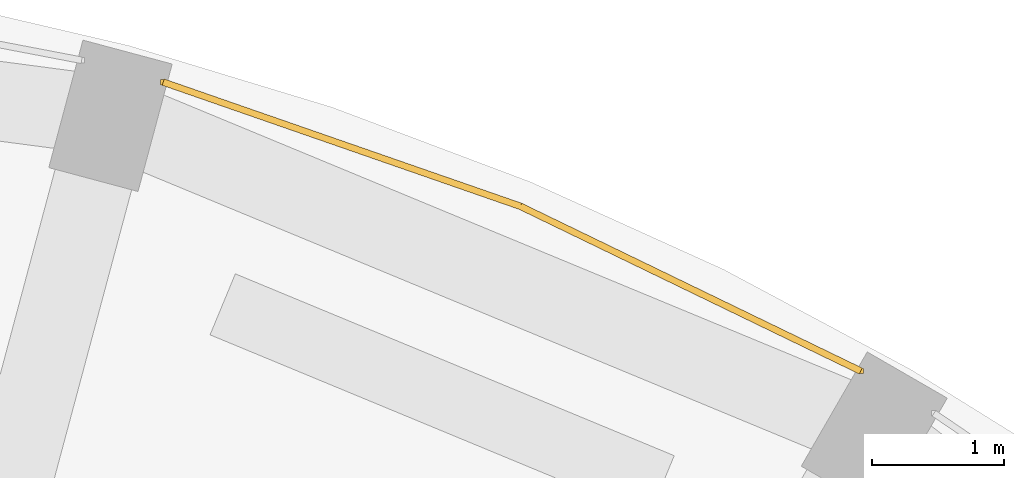
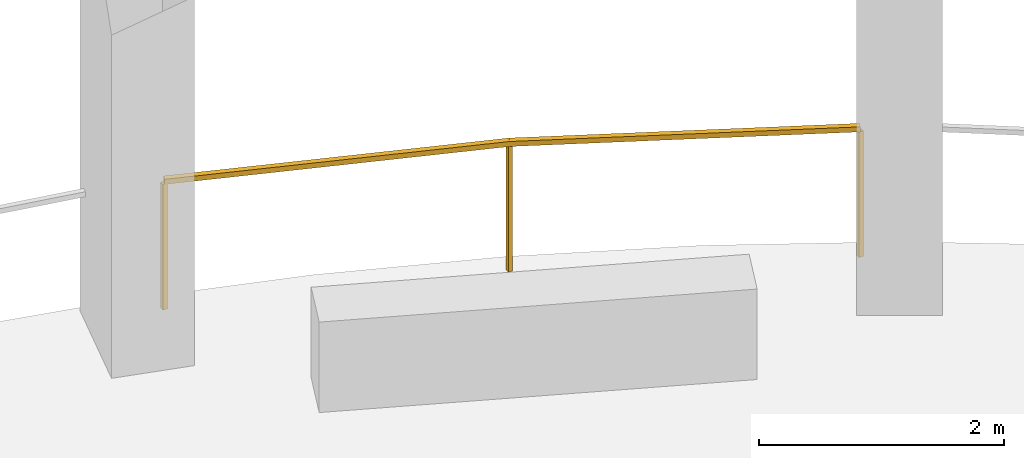
# One storey, part 9 of 9: 1 railing.
"""IFC4 building model written with IfcOpenShell, lengths in metres."""

from ifc_helpers import new_model, si_unit, direction, frame, origin, origin_2d, place, context, subcontext, project, spatial, rectangle, extrude, material, type_object, element, save


model = new_model("IFC4")

# Units and contexts
model_context = context("Model", 3, precision=1e-05, world=origin(), true_north=direction((0.0, 1.0)))
body_context = subcontext(model_context, "Body", "Model", "MODEL_VIEW")
ifc_project = project(units=[si_unit("LENGTHUNIT", "METRE"), si_unit("AREAUNIT", "SQUARE_METRE"), si_unit("VOLUMEUNIT", "CUBIC_METRE"), si_unit("PLANEANGLEUNIT", "RADIAN"), si_unit("MASSUNIT", "GRAM", prefix="KILO")], contexts=[model_context])

# Site, building, storey
site_placement = place(None, origin())
site = spatial("IfcSite", under=ifc_project, at=site_placement, CompositionType="ELEMENT")
building_placement = place(site_placement, origin())
building = spatial("IfcBuilding", under=site, at=building_placement, Name="Torre Triforio", CompositionType="ELEMENT")
storey_placement = place(building_placement, frame((0.0, 0.0, 244.60009765625)))
storey = spatial("IfcBuildingStorey", under=building, at=storey_placement, Name="L56", CompositionType="ELEMENT", Elevation=244.60009765625)

# Railing
ifc_material = material(Name="Stainless steel AISI 316", Category="steel")
railing_type = type_object("IfcRailingType", Name="Loggia guard 1300", PredefinedType="GUARDRAIL", material=ifc_material)
railing_placement = place(storey_placement, frame((11.89794921875, 21.247802734375, 0.0)))
element("IfcRailing", 1, at=railing_placement, inside=storey, type_object=railing_type, Name="Loggia guard L56 bay 05", PredefinedType="GUARDRAIL", context=body_context, shape_type="SweptSolid", body=[
    extrude(rectangle(XDim=0.050048828125, YDim=0.050048828125, at=origin_2d()), frame((0.0, 0.0, 1.27490234375), z_axis=(-0.900078431046, 0.435727917358, 0.0), x_axis=(-0.435727917358, -0.900078431046, 0.0)), (0.0, 0.0, 1.0), 2.865966796875),
    extrude(rectangle(XDim=0.050048828125, YDim=0.050048828125, at=origin_2d()), frame((-2.57958984375, 1.248779296875, 1.27490234375), z_axis=(-0.944568028123, 0.328315763022, 0.0), x_axis=(-0.328315763022, -0.944568028123, 0.0)), (0.0, 0.0, 1.0), 2.865966796875),
    extrude(rectangle(XDim=0.0400390625, YDim=0.0400390625, at=origin_2d()), origin(), (0.0, 0.0, 1.0), 1.25),
    extrude(rectangle(XDim=0.0400390625, YDim=0.0400390625, at=origin_2d()), frame((-2.57958984375, 1.248779296875, 0.0)), (0.0, 0.0, 1.0), 1.25),
    extrude(rectangle(XDim=0.0400390625, YDim=0.0400390625, at=origin_2d()), frame((-5.28662109375, 2.189697265625, 0.0)), (0.0, 0.0, 1.0), 1.25),
])

save(model, "model.ifc")
